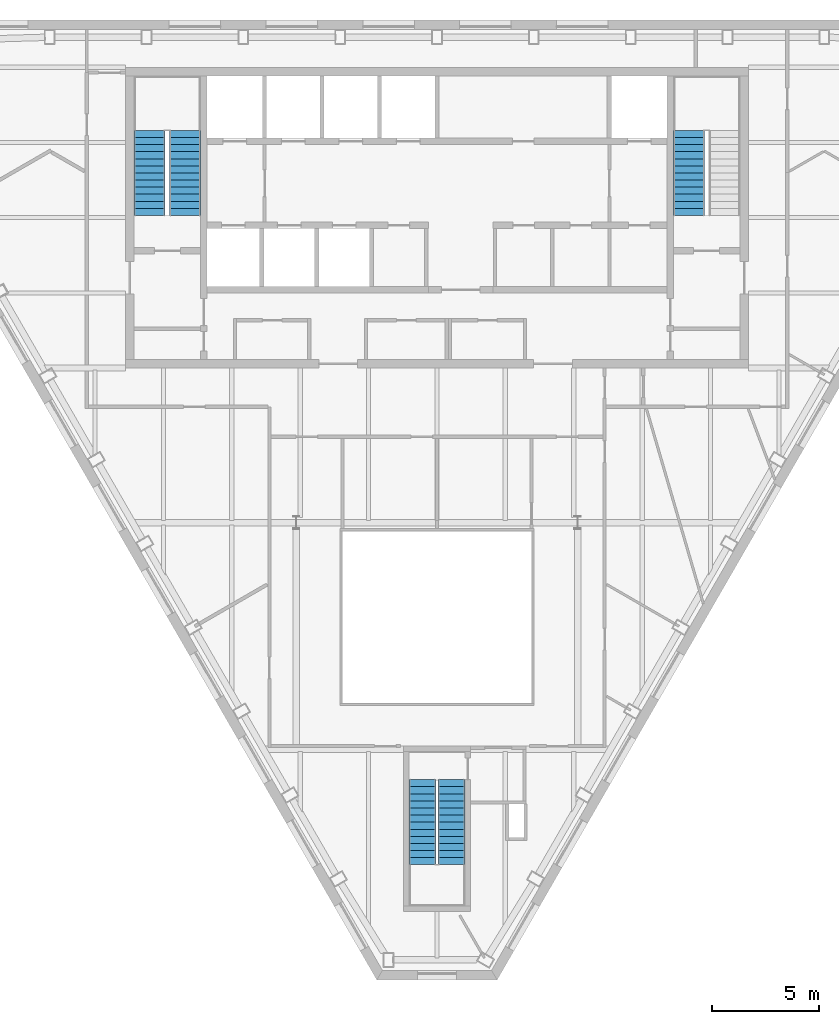
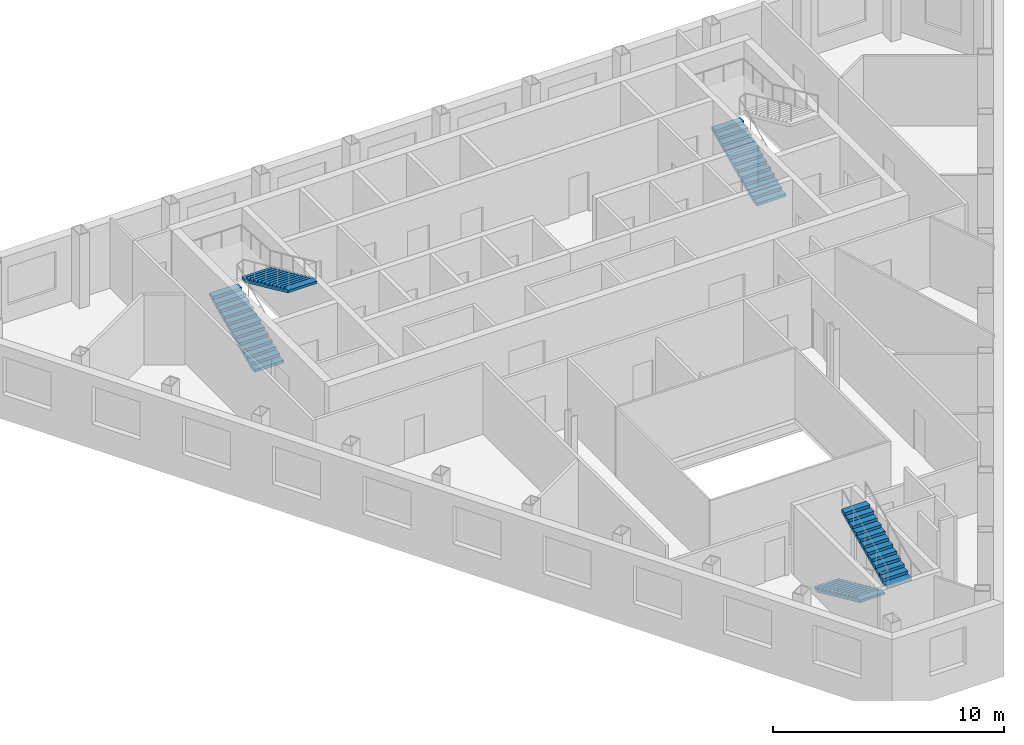
# One storey, part 8 of 10: 5 stair flights, 3 elements without a shape of their own.
"""IFC4 building model written with IfcOpenShell, lengths in metres."""

from ifc_helpers import new_model, si_unit, direction, frame, origin, place, context, subcontext, project, spatial, polygons, material, type_object, element, aggregate, save


model = new_model("IFC4")

# Units and contexts
model_context = context("Model", 3, precision=1e-05, world=origin(), true_north=direction((0.0, 1.0)))
body_context = subcontext(model_context, "Body", "Model", "MODEL_VIEW")
ifc_project = project(units=[si_unit("LENGTHUNIT", "METRE"), si_unit("AREAUNIT", "SQUARE_METRE"), si_unit("VOLUMEUNIT", "CUBIC_METRE"), si_unit("PLANEANGLEUNIT", "RADIAN"), si_unit("MASSUNIT", "GRAM", prefix="KILO")], contexts=[model_context])

# Site, building, storey
site_placement = place(None, origin())
site = spatial("IfcSite", under=ifc_project, at=site_placement, CompositionType="ELEMENT")
building_placement = place(site_placement, origin())
building = spatial("IfcBuilding", under=site, at=building_placement, Name="Njiva Tower", CompositionType="ELEMENT")
storey_placement = place(building_placement, frame((0.0, 0.0, 272.7)))
storey = spatial("IfcBuildingStorey", under=building, at=storey_placement, Name="L62", CompositionType="ELEMENT", Elevation=272.7)

# Stair, stair flights
ifc_material = material(Name="Concrete C40/50", Category="concrete")
stair_type_1 = type_object("IfcStairType", Name="ST1 Exit stair 1250", PredefinedType="HALF_TURN_STAIR", material=ifc_material)
stair_1_placement = place(storey_placement, origin())
stair_1 = element("IfcStair", 1, at=stair_1_placement, inside=storey, type_object=stair_type_1, Name="Stair C", PredefinedType="HALF_TURN_STAIR")
stair_flight_type_1 = type_object("IfcStairFlightType", Name="FL1 Stair flight 1250", PredefinedType="STRAIGHT", material=ifc_material)
stair_flight_1_placement = place(storey_placement, frame((-0.675, -15.16, 0.0), z_axis=(0.0, 0.0, 1.0), x_axis=(0.0, -1.0, 0.0)))
stair_flight_1 = element("IfcStairFlight", 2, at=stair_flight_1_placement, type_object=stair_flight_type_1, Name="ST-C flight 1", NumberOfRisers=13, NumberOfTreads=12, PredefinedType="STRAIGHT", RiserHeight=0.15, TreadLength=0.33, context=body_context, shape_type="Tessellation", body=[
    polygons([(0.0, 0.625, 0.0), (0.0, 0.3125, 0.0), (0.0, 0.0, 0.0), (0.0, -0.3125, 0.0), (0.0, -0.625, 0.0), (0.0, 0.625, 0.15), (0.0, 0.3125, 0.15), (0.0, 0.0, 0.15), (0.0, -0.3125, 0.15), (0.0, -0.625, 0.15), (0.33, 0.625, 0.15), (0.33, 0.3125, 0.15), (0.33, 0.0, 0.15), (0.33, -0.3125, 0.15), (0.33, -0.625, 0.15), (0.33, 0.625, 0.3), (0.33, 0.3125, 0.3), (0.33, 0.0, 0.3), (0.33, -0.3125, 0.3), (0.33, -0.625, 0.3), (0.66, 0.625, 0.3), (0.66, 0.3125, 0.3), (0.66, 0.0, 0.3), (0.66, -0.3125, 0.3), (0.66, -0.625, 0.3), (0.66, 0.625, 0.45), (0.66, 0.3125, 0.45), (0.66, 0.0, 0.45), (0.66, -0.3125, 0.45), (0.66, -0.625, 0.45), (0.99, 0.625, 0.45), (0.99, 0.3125, 0.45), (0.99, 0.0, 0.45), (0.99, -0.3125, 0.45), (0.99, -0.625, 0.45), (0.99, 0.625, 0.6), (0.99, 0.3125, 0.6), (0.99, 0.0, 0.6), (0.99, -0.3125, 0.6), (0.99, -0.625, 0.6), (1.32, 0.625, 0.6), (1.32, 0.3125, 0.6), (1.32, 0.0, 0.6), (1.32, -0.3125, 0.6), (1.32, -0.625, 0.6), (1.32, 0.625, 0.75), (1.32, 0.3125, 0.75), (1.32, 0.0, 0.75), (1.32, -0.3125, 0.75), (1.32, -0.625, 0.75), (1.65, 0.625, 0.75), (1.65, 0.3125, 0.75), (1.65, 0.0, 0.75), (1.65, -0.3125, 0.75), (1.65, -0.625, 0.75), (1.65, 0.625, 0.9), (1.65, 0.3125, 0.9), (1.65, 0.0, 0.9), (1.65, -0.3125, 0.9), (1.65, -0.625, 0.9), (1.98, 0.625, 0.9), (1.98, 0.3125, 0.9), (1.98, 0.0, 0.9), (1.98, -0.3125, 0.9), (1.98, -0.625, 0.9), (1.98, 0.625, 1.05), (1.98, 0.3125, 1.05), (1.98, 0.0, 1.05), (1.98, -0.3125, 1.05), (1.98, -0.625, 1.05), (2.31, 0.625, 1.05), (2.31, 0.3125, 1.05), (2.31, 0.0, 1.05), (2.31, -0.3125, 1.05), (2.31, -0.625, 1.05), (2.31, 0.625, 1.2), (2.31, 0.3125, 1.2), (2.31, 0.0, 1.2), (2.31, -0.3125, 1.2), (2.31, -0.625, 1.2), (2.64, 0.625, 1.2), (2.64, 0.3125, 1.2), (2.64, 0.0, 1.2), (2.64, -0.3125, 1.2), (2.64, -0.625, 1.2), (2.64, 0.625, 1.35), (2.64, 0.3125, 1.35), (2.64, 0.0, 1.35), (2.64, -0.3125, 1.35), (2.64, -0.625, 1.35), (2.97, 0.625, 1.35), (2.97, 0.3125, 1.35), (2.97, 0.0, 1.35), (2.97, -0.3125, 1.35), (2.97, -0.625, 1.35), (2.97, 0.625, 1.5), (2.97, 0.3125, 1.5), (2.97, 0.0, 1.5), (2.97, -0.3125, 1.5), (2.97, -0.625, 1.5), (3.3, 0.625, 1.5), (3.3, 0.3125, 1.5), (3.3, 0.0, 1.5), (3.3, -0.3125, 1.5), (3.3, -0.625, 1.5), (3.3, 0.625, 1.65), (3.3, 0.3125, 1.65), (3.3, 0.0, 1.65), (3.3, -0.3125, 1.65), (3.3, -0.625, 1.65), (3.63, 0.625, 1.65), (3.63, 0.3125, 1.65), (3.63, 0.0, 1.65), (3.63, -0.3125, 1.65), (3.63, -0.625, 1.65), (3.63, 0.625, 1.8), (3.63, 0.3125, 1.8), (3.63, 0.0, 1.8), (3.63, -0.3125, 1.8), (3.63, -0.625, 1.8), (3.96, 0.625, 1.8), (3.96, 0.3125, 1.8), (3.96, 0.0, 1.8), (3.96, -0.3125, 1.8), (3.96, -0.625, 1.8), (3.96, 0.625, 1.6682), (3.96, 0.3125, 1.6682), (3.96, 0.0, 1.6682), (3.96, -0.3125, 1.6682), (3.96, -0.625, 1.6682), (0.29, 0.625, 0.0), (0.29, 0.3125, 0.0), (0.29, 0.0, 0.0), (0.29, -0.3125, 0.0), (0.29, -0.625, 0.0)], [[[1, 6, 11, 16, 21, 26, 31, 36, 41, 46, 51, 56, 61, 66, 71, 76, 81, 86, 91, 96, 101, 106, 111, 116, 121, 126, 131]], [[135, 130, 125, 120, 115, 110, 105, 100, 95, 90, 85, 80, 75, 70, 65, 60, 55, 50, 45, 40, 35, 30, 25, 20, 15, 10, 5]], [[6, 1, 2, 7]], [[7, 2, 3, 8]], [[8, 3, 4, 9]], [[9, 4, 5, 10]], [[11, 6, 7, 12]], [[12, 7, 8, 13]], [[13, 8, 9, 14]], [[14, 9, 10, 15]], [[16, 11, 12, 17]], [[17, 12, 13, 18]], [[18, 13, 14, 19]], [[19, 14, 15, 20]], [[21, 16, 17, 22]], [[22, 17, 18, 23]], [[23, 18, 19, 24]], [[24, 19, 20, 25]], [[26, 21, 22, 27]], [[27, 22, 23, 28]], [[28, 23, 24, 29]], [[29, 24, 25, 30]], [[31, 26, 27, 32]], [[32, 27, 28, 33]], [[33, 28, 29, 34]], [[34, 29, 30, 35]], [[36, 31, 32, 37]], [[37, 32, 33, 38]], [[38, 33, 34, 39]], [[39, 34, 35, 40]], [[41, 36, 37, 42]], [[42, 37, 38, 43]], [[43, 38, 39, 44]], [[44, 39, 40, 45]], [[46, 41, 42, 47]], [[47, 42, 43, 48]], [[48, 43, 44, 49]], [[49, 44, 45, 50]], [[51, 46, 47, 52]], [[52, 47, 48, 53]], [[53, 48, 49, 54]], [[54, 49, 50, 55]], [[56, 51, 52, 57]], [[57, 52, 53, 58]], [[58, 53, 54, 59]], [[59, 54, 55, 60]], [[61, 56, 57, 62]], [[62, 57, 58, 63]], [[63, 58, 59, 64]], [[64, 59, 60, 65]], [[66, 61, 62, 67]], [[67, 62, 63, 68]], [[68, 63, 64, 69]], [[69, 64, 65, 70]], [[71, 66, 67, 72]], [[72, 67, 68, 73]], [[73, 68, 69, 74]], [[74, 69, 70, 75]], [[76, 71, 72, 77]], [[77, 72, 73, 78]], [[78, 73, 74, 79]], [[79, 74, 75, 80]], [[81, 76, 77, 82]], [[82, 77, 78, 83]], [[83, 78, 79, 84]], [[84, 79, 80, 85]], [[86, 81, 82, 87]], [[87, 82, 83, 88]], [[88, 83, 84, 89]], [[89, 84, 85, 90]], [[91, 86, 87, 92]], [[92, 87, 88, 93]], [[93, 88, 89, 94]], [[94, 89, 90, 95]], [[96, 91, 92, 97]], [[97, 92, 93, 98]], [[98, 93, 94, 99]], [[99, 94, 95, 100]], [[101, 96, 97, 102]], [[102, 97, 98, 103]], [[103, 98, 99, 104]], [[104, 99, 100, 105]], [[106, 101, 102, 107]], [[107, 102, 103, 108]], [[108, 103, 104, 109]], [[109, 104, 105, 110]], [[111, 106, 107, 112]], [[112, 107, 108, 113]], [[113, 108, 109, 114]], [[114, 109, 110, 115]], [[116, 111, 112, 117]], [[117, 112, 113, 118]], [[118, 113, 114, 119]], [[119, 114, 115, 120]], [[121, 116, 117, 122]], [[122, 117, 118, 123]], [[123, 118, 119, 124]], [[124, 119, 120, 125]], [[126, 121, 122, 127]], [[127, 122, 123, 128]], [[128, 123, 124, 129]], [[129, 124, 125, 130]], [[131, 126, 127, 132]], [[132, 127, 128, 133]], [[133, 128, 129, 134]], [[134, 129, 130, 135]], [[1, 131, 132, 2]], [[2, 132, 133, 3]], [[3, 133, 134, 4]], [[4, 134, 135, 5]]], closed=True),
])
stair_flight_2_placement = place(storey_placement, frame((0.675, -19.12, 1.95), z_axis=(0.0, 0.0, 1.0), x_axis=(0.0, 1.0, 0.0)))
stair_flight_2 = element("IfcStairFlight", 3, at=stair_flight_2_placement, type_object=stair_flight_type_1, Name="ST-C flight 2", NumberOfRisers=13, NumberOfTreads=12, PredefinedType="STRAIGHT", RiserHeight=0.15, TreadLength=0.33, context=body_context, shape_type="Tessellation", body=[
    polygons([(0.0, 0.625, 0.0), (0.0, 0.3125, 0.0), (0.0, 0.0, 0.0), (0.0, -0.3125, 0.0), (0.0, -0.625, 0.0), (0.0, 0.625, 0.15), (0.0, 0.3125, 0.15), (0.0, 0.0, 0.15), (0.0, -0.3125, 0.15), (0.0, -0.625, 0.15), (0.33, 0.625, 0.15), (0.33, 0.3125, 0.15), (0.33, 0.0, 0.15), (0.33, -0.3125, 0.15), (0.33, -0.625, 0.15), (0.33, 0.625, 0.3), (0.33, 0.3125, 0.3), (0.33, 0.0, 0.3), (0.33, -0.3125, 0.3), (0.33, -0.625, 0.3), (0.66, 0.625, 0.3), (0.66, 0.3125, 0.3), (0.66, 0.0, 0.3), (0.66, -0.3125, 0.3), (0.66, -0.625, 0.3), (0.66, 0.625, 0.45), (0.66, 0.3125, 0.45), (0.66, 0.0, 0.45), (0.66, -0.3125, 0.45), (0.66, -0.625, 0.45), (0.99, 0.625, 0.45), (0.99, 0.3125, 0.45), (0.99, 0.0, 0.45), (0.99, -0.3125, 0.45), (0.99, -0.625, 0.45), (0.99, 0.625, 0.6), (0.99, 0.3125, 0.6), (0.99, 0.0, 0.6), (0.99, -0.3125, 0.6), (0.99, -0.625, 0.6), (1.32, 0.625, 0.6), (1.32, 0.3125, 0.6), (1.32, 0.0, 0.6), (1.32, -0.3125, 0.6), (1.32, -0.625, 0.6), (1.32, 0.625, 0.75), (1.32, 0.3125, 0.75), (1.32, 0.0, 0.75), (1.32, -0.3125, 0.75), (1.32, -0.625, 0.75), (1.65, 0.625, 0.75), (1.65, 0.3125, 0.75), (1.65, 0.0, 0.75), (1.65, -0.3125, 0.75), (1.65, -0.625, 0.75), (1.65, 0.625, 0.9), (1.65, 0.3125, 0.9), (1.65, 0.0, 0.9), (1.65, -0.3125, 0.9), (1.65, -0.625, 0.9), (1.98, 0.625, 0.9), (1.98, 0.3125, 0.9), (1.98, 0.0, 0.9), (1.98, -0.3125, 0.9), (1.98, -0.625, 0.9), (1.98, 0.625, 1.05), (1.98, 0.3125, 1.05), (1.98, 0.0, 1.05), (1.98, -0.3125, 1.05), (1.98, -0.625, 1.05), (2.31, 0.625, 1.05), (2.31, 0.3125, 1.05), (2.31, 0.0, 1.05), (2.31, -0.3125, 1.05), (2.31, -0.625, 1.05), (2.31, 0.625, 1.2), (2.31, 0.3125, 1.2), (2.31, 0.0, 1.2), (2.31, -0.3125, 1.2), (2.31, -0.625, 1.2), (2.64, 0.625, 1.2), (2.64, 0.3125, 1.2), (2.64, 0.0, 1.2), (2.64, -0.3125, 1.2), (2.64, -0.625, 1.2), (2.64, 0.625, 1.35), (2.64, 0.3125, 1.35), (2.64, 0.0, 1.35), (2.64, -0.3125, 1.35), (2.64, -0.625, 1.35), (2.97, 0.625, 1.35), (2.97, 0.3125, 1.35), (2.97, 0.0, 1.35), (2.97, -0.3125, 1.35), (2.97, -0.625, 1.35), (2.97, 0.625, 1.5), (2.97, 0.3125, 1.5), (2.97, 0.0, 1.5), (2.97, -0.3125, 1.5), (2.97, -0.625, 1.5), (3.3, 0.625, 1.5), (3.3, 0.3125, 1.5), (3.3, 0.0, 1.5), (3.3, -0.3125, 1.5), (3.3, -0.625, 1.5), (3.3, 0.625, 1.65), (3.3, 0.3125, 1.65), (3.3, 0.0, 1.65), (3.3, -0.3125, 1.65), (3.3, -0.625, 1.65), (3.63, 0.625, 1.65), (3.63, 0.3125, 1.65), (3.63, 0.0, 1.65), (3.63, -0.3125, 1.65), (3.63, -0.625, 1.65), (3.63, 0.625, 1.8), (3.63, 0.3125, 1.8), (3.63, 0.0, 1.8), (3.63, -0.3125, 1.8), (3.63, -0.625, 1.8), (3.96, 0.625, 1.8), (3.96, 0.3125, 1.8), (3.96, 0.0, 1.8), (3.96, -0.3125, 1.8), (3.96, -0.625, 1.8), (3.96, 0.625, 1.6682), (3.96, 0.3125, 1.6682), (3.96, 0.0, 1.6682), (3.96, -0.3125, 1.6682), (3.96, -0.625, 1.6682), (0.29, 0.625, 0.0), (0.29, 0.3125, 0.0), (0.29, 0.0, 0.0), (0.29, -0.3125, 0.0), (0.29, -0.625, 0.0)], [[[1, 6, 11, 16, 21, 26, 31, 36, 41, 46, 51, 56, 61, 66, 71, 76, 81, 86, 91, 96, 101, 106, 111, 116, 121, 126, 131]], [[135, 130, 125, 120, 115, 110, 105, 100, 95, 90, 85, 80, 75, 70, 65, 60, 55, 50, 45, 40, 35, 30, 25, 20, 15, 10, 5]], [[6, 1, 2, 7]], [[7, 2, 3, 8]], [[8, 3, 4, 9]], [[9, 4, 5, 10]], [[11, 6, 7, 12]], [[12, 7, 8, 13]], [[13, 8, 9, 14]], [[14, 9, 10, 15]], [[16, 11, 12, 17]], [[17, 12, 13, 18]], [[18, 13, 14, 19]], [[19, 14, 15, 20]], [[21, 16, 17, 22]], [[22, 17, 18, 23]], [[23, 18, 19, 24]], [[24, 19, 20, 25]], [[26, 21, 22, 27]], [[27, 22, 23, 28]], [[28, 23, 24, 29]], [[29, 24, 25, 30]], [[31, 26, 27, 32]], [[32, 27, 28, 33]], [[33, 28, 29, 34]], [[34, 29, 30, 35]], [[36, 31, 32, 37]], [[37, 32, 33, 38]], [[38, 33, 34, 39]], [[39, 34, 35, 40]], [[41, 36, 37, 42]], [[42, 37, 38, 43]], [[43, 38, 39, 44]], [[44, 39, 40, 45]], [[46, 41, 42, 47]], [[47, 42, 43, 48]], [[48, 43, 44, 49]], [[49, 44, 45, 50]], [[51, 46, 47, 52]], [[52, 47, 48, 53]], [[53, 48, 49, 54]], [[54, 49, 50, 55]], [[56, 51, 52, 57]], [[57, 52, 53, 58]], [[58, 53, 54, 59]], [[59, 54, 55, 60]], [[61, 56, 57, 62]], [[62, 57, 58, 63]], [[63, 58, 59, 64]], [[64, 59, 60, 65]], [[66, 61, 62, 67]], [[67, 62, 63, 68]], [[68, 63, 64, 69]], [[69, 64, 65, 70]], [[71, 66, 67, 72]], [[72, 67, 68, 73]], [[73, 68, 69, 74]], [[74, 69, 70, 75]], [[76, 71, 72, 77]], [[77, 72, 73, 78]], [[78, 73, 74, 79]], [[79, 74, 75, 80]], [[81, 76, 77, 82]], [[82, 77, 78, 83]], [[83, 78, 79, 84]], [[84, 79, 80, 85]], [[86, 81, 82, 87]], [[87, 82, 83, 88]], [[88, 83, 84, 89]], [[89, 84, 85, 90]], [[91, 86, 87, 92]], [[92, 87, 88, 93]], [[93, 88, 89, 94]], [[94, 89, 90, 95]], [[96, 91, 92, 97]], [[97, 92, 93, 98]], [[98, 93, 94, 99]], [[99, 94, 95, 100]], [[101, 96, 97, 102]], [[102, 97, 98, 103]], [[103, 98, 99, 104]], [[104, 99, 100, 105]], [[106, 101, 102, 107]], [[107, 102, 103, 108]], [[108, 103, 104, 109]], [[109, 104, 105, 110]], [[111, 106, 107, 112]], [[112, 107, 108, 113]], [[113, 108, 109, 114]], [[114, 109, 110, 115]], [[116, 111, 112, 117]], [[117, 112, 113, 118]], [[118, 113, 114, 119]], [[119, 114, 115, 120]], [[121, 116, 117, 122]], [[122, 117, 118, 123]], [[123, 118, 119, 124]], [[124, 119, 120, 125]], [[126, 121, 122, 127]], [[127, 122, 123, 128]], [[128, 123, 124, 129]], [[129, 124, 125, 130]], [[131, 126, 127, 132]], [[132, 127, 128, 133]], [[133, 128, 129, 134]], [[134, 129, 130, 135]], [[1, 131, 132, 2]], [[2, 132, 133, 3]], [[3, 133, 134, 4]], [[4, 134, 135, 5]]], closed=True),
])
aggregate(stair_1, [stair_flight_1, stair_flight_2])

stair_type_2 = type_object("IfcStairType", Name="ST3 Exit stair 1450", PredefinedType="HALF_TURN_STAIR", material=ifc_material)
stair_2_placement = place(storey_placement, origin())
stair_2 = element("IfcStair", 4, at=stair_2_placement, inside=storey, type_object=stair_type_2, Name="Stair A", PredefinedType="HALF_TURN_STAIR")
stair_flight_type_2 = type_object("IfcStairFlightType", Name="FL3 Stair flight 1450", PredefinedType="STRAIGHT", material=ifc_material)
stair_flight_3_placement = place(storey_placement, frame((-13.375, 11.1, 0.0), z_axis=(0.0, 0.0, 1.0), x_axis=(0.0, 1.0, 0.0)))
stair_flight_3 = element("IfcStairFlight", 5, at=stair_flight_3_placement, type_object=stair_flight_type_2, Name="ST-A flight 1", NumberOfRisers=13, NumberOfTreads=12, PredefinedType="STRAIGHT", RiserHeight=0.15, TreadLength=0.33, context=body_context, shape_type="Tessellation", body=[
    polygons([(0.0, 0.725, 0.0), (0.0, 0.3625, 0.0), (0.0, 0.0, 0.0), (0.0, -0.3625, 0.0), (0.0, -0.725, 0.0), (0.0, 0.725, 0.15), (0.0, 0.3625, 0.15), (0.0, 0.0, 0.15), (0.0, -0.3625, 0.15), (0.0, -0.725, 0.15), (0.33, 0.725, 0.15), (0.33, 0.3625, 0.15), (0.33, 0.0, 0.15), (0.33, -0.3625, 0.15), (0.33, -0.725, 0.15), (0.33, 0.725, 0.3), (0.33, 0.3625, 0.3), (0.33, 0.0, 0.3), (0.33, -0.3625, 0.3), (0.33, -0.725, 0.3), (0.66, 0.725, 0.3), (0.66, 0.3625, 0.3), (0.66, 0.0, 0.3), (0.66, -0.3625, 0.3), (0.66, -0.725, 0.3), (0.66, 0.725, 0.45), (0.66, 0.3625, 0.45), (0.66, 0.0, 0.45), (0.66, -0.3625, 0.45), (0.66, -0.725, 0.45), (0.99, 0.725, 0.45), (0.99, 0.3625, 0.45), (0.99, 0.0, 0.45), (0.99, -0.3625, 0.45), (0.99, -0.725, 0.45), (0.99, 0.725, 0.6), (0.99, 0.3625, 0.6), (0.99, 0.0, 0.6), (0.99, -0.3625, 0.6), (0.99, -0.725, 0.6), (1.32, 0.725, 0.6), (1.32, 0.3625, 0.6), (1.32, 0.0, 0.6), (1.32, -0.3625, 0.6), (1.32, -0.725, 0.6), (1.32, 0.725, 0.75), (1.32, 0.3625, 0.75), (1.32, 0.0, 0.75), (1.32, -0.3625, 0.75), (1.32, -0.725, 0.75), (1.65, 0.725, 0.75), (1.65, 0.3625, 0.75), (1.65, 0.0, 0.75), (1.65, -0.3625, 0.75), (1.65, -0.725, 0.75), (1.65, 0.725, 0.9), (1.65, 0.3625, 0.9), (1.65, 0.0, 0.9), (1.65, -0.3625, 0.9), (1.65, -0.725, 0.9), (1.98, 0.725, 0.9), (1.98, 0.3625, 0.9), (1.98, 0.0, 0.9), (1.98, -0.3625, 0.9), (1.98, -0.725, 0.9), (1.98, 0.725, 1.05), (1.98, 0.3625, 1.05), (1.98, 0.0, 1.05), (1.98, -0.3625, 1.05), (1.98, -0.725, 1.05), (2.31, 0.725, 1.05), (2.31, 0.3625, 1.05), (2.31, 0.0, 1.05), (2.31, -0.3625, 1.05), (2.31, -0.725, 1.05), (2.31, 0.725, 1.2), (2.31, 0.3625, 1.2), (2.31, 0.0, 1.2), (2.31, -0.3625, 1.2), (2.31, -0.725, 1.2), (2.64, 0.725, 1.2), (2.64, 0.3625, 1.2), (2.64, 0.0, 1.2), (2.64, -0.3625, 1.2), (2.64, -0.725, 1.2), (2.64, 0.725, 1.35), (2.64, 0.3625, 1.35), (2.64, 0.0, 1.35), (2.64, -0.3625, 1.35), (2.64, -0.725, 1.35), (2.97, 0.725, 1.35), (2.97, 0.3625, 1.35), (2.97, 0.0, 1.35), (2.97, -0.3625, 1.35), (2.97, -0.725, 1.35), (2.97, 0.725, 1.5), (2.97, 0.3625, 1.5), (2.97, 0.0, 1.5), (2.97, -0.3625, 1.5), (2.97, -0.725, 1.5), (3.3, 0.725, 1.5), (3.3, 0.3625, 1.5), (3.3, 0.0, 1.5), (3.3, -0.3625, 1.5), (3.3, -0.725, 1.5), (3.3, 0.725, 1.65), (3.3, 0.3625, 1.65), (3.3, 0.0, 1.65), (3.3, -0.3625, 1.65), (3.3, -0.725, 1.65), (3.63, 0.725, 1.65), (3.63, 0.3625, 1.65), (3.63, 0.0, 1.65), (3.63, -0.3625, 1.65), (3.63, -0.725, 1.65), (3.63, 0.725, 1.8), (3.63, 0.3625, 1.8), (3.63, 0.0, 1.8), (3.63, -0.3625, 1.8), (3.63, -0.725, 1.8), (3.96, 0.725, 1.8), (3.96, 0.3625, 1.8), (3.96, 0.0, 1.8), (3.96, -0.3625, 1.8), (3.96, -0.725, 1.8), (3.96, 0.725, 1.6682), (3.96, 0.3625, 1.6682), (3.96, 0.0, 1.6682), (3.96, -0.3625, 1.6682), (3.96, -0.725, 1.6682), (0.29, 0.725, 0.0), (0.29, 0.3625, 0.0), (0.29, 0.0, 0.0), (0.29, -0.3625, 0.0), (0.29, -0.725, 0.0)], [[[1, 6, 11, 16, 21, 26, 31, 36, 41, 46, 51, 56, 61, 66, 71, 76, 81, 86, 91, 96, 101, 106, 111, 116, 121, 126, 131]], [[135, 130, 125, 120, 115, 110, 105, 100, 95, 90, 85, 80, 75, 70, 65, 60, 55, 50, 45, 40, 35, 30, 25, 20, 15, 10, 5]], [[6, 1, 2, 7]], [[7, 2, 3, 8]], [[8, 3, 4, 9]], [[9, 4, 5, 10]], [[11, 6, 7, 12]], [[12, 7, 8, 13]], [[13, 8, 9, 14]], [[14, 9, 10, 15]], [[16, 11, 12, 17]], [[17, 12, 13, 18]], [[18, 13, 14, 19]], [[19, 14, 15, 20]], [[21, 16, 17, 22]], [[22, 17, 18, 23]], [[23, 18, 19, 24]], [[24, 19, 20, 25]], [[26, 21, 22, 27]], [[27, 22, 23, 28]], [[28, 23, 24, 29]], [[29, 24, 25, 30]], [[31, 26, 27, 32]], [[32, 27, 28, 33]], [[33, 28, 29, 34]], [[34, 29, 30, 35]], [[36, 31, 32, 37]], [[37, 32, 33, 38]], [[38, 33, 34, 39]], [[39, 34, 35, 40]], [[41, 36, 37, 42]], [[42, 37, 38, 43]], [[43, 38, 39, 44]], [[44, 39, 40, 45]], [[46, 41, 42, 47]], [[47, 42, 43, 48]], [[48, 43, 44, 49]], [[49, 44, 45, 50]], [[51, 46, 47, 52]], [[52, 47, 48, 53]], [[53, 48, 49, 54]], [[54, 49, 50, 55]], [[56, 51, 52, 57]], [[57, 52, 53, 58]], [[58, 53, 54, 59]], [[59, 54, 55, 60]], [[61, 56, 57, 62]], [[62, 57, 58, 63]], [[63, 58, 59, 64]], [[64, 59, 60, 65]], [[66, 61, 62, 67]], [[67, 62, 63, 68]], [[68, 63, 64, 69]], [[69, 64, 65, 70]], [[71, 66, 67, 72]], [[72, 67, 68, 73]], [[73, 68, 69, 74]], [[74, 69, 70, 75]], [[76, 71, 72, 77]], [[77, 72, 73, 78]], [[78, 73, 74, 79]], [[79, 74, 75, 80]], [[81, 76, 77, 82]], [[82, 77, 78, 83]], [[83, 78, 79, 84]], [[84, 79, 80, 85]], [[86, 81, 82, 87]], [[87, 82, 83, 88]], [[88, 83, 84, 89]], [[89, 84, 85, 90]], [[91, 86, 87, 92]], [[92, 87, 88, 93]], [[93, 88, 89, 94]], [[94, 89, 90, 95]], [[96, 91, 92, 97]], [[97, 92, 93, 98]], [[98, 93, 94, 99]], [[99, 94, 95, 100]], [[101, 96, 97, 102]], [[102, 97, 98, 103]], [[103, 98, 99, 104]], [[104, 99, 100, 105]], [[106, 101, 102, 107]], [[107, 102, 103, 108]], [[108, 103, 104, 109]], [[109, 104, 105, 110]], [[111, 106, 107, 112]], [[112, 107, 108, 113]], [[113, 108, 109, 114]], [[114, 109, 110, 115]], [[116, 111, 112, 117]], [[117, 112, 113, 118]], [[118, 113, 114, 119]], [[119, 114, 115, 120]], [[121, 116, 117, 122]], [[122, 117, 118, 123]], [[123, 118, 119, 124]], [[124, 119, 120, 125]], [[126, 121, 122, 127]], [[127, 122, 123, 128]], [[128, 123, 124, 129]], [[129, 124, 125, 130]], [[131, 126, 127, 132]], [[132, 127, 128, 133]], [[133, 128, 129, 134]], [[134, 129, 130, 135]], [[1, 131, 132, 2]], [[2, 132, 133, 3]], [[3, 133, 134, 4]], [[4, 134, 135, 5]]], closed=True),
])
stair_flight_4_placement = place(storey_placement, frame((-11.725, 15.06, 1.95), z_axis=(0.0, 0.0, 1.0), x_axis=(0.0, -1.0, 0.0)))
stair_flight_4 = element("IfcStairFlight", 6, at=stair_flight_4_placement, type_object=stair_flight_type_2, Name="ST-A flight 2", NumberOfRisers=13, NumberOfTreads=12, PredefinedType="STRAIGHT", RiserHeight=0.15, TreadLength=0.33, context=body_context, shape_type="Tessellation", body=[
    polygons([(0.0, 0.725, 0.0), (0.0, 0.3625, 0.0), (0.0, 0.0, 0.0), (0.0, -0.3625, 0.0), (0.0, -0.725, 0.0), (0.0, 0.725, 0.15), (0.0, 0.3625, 0.15), (0.0, 0.0, 0.15), (0.0, -0.3625, 0.15), (0.0, -0.725, 0.15), (0.33, 0.725, 0.15), (0.33, 0.3625, 0.15), (0.33, 0.0, 0.15), (0.33, -0.3625, 0.15), (0.33, -0.725, 0.15), (0.33, 0.725, 0.3), (0.33, 0.3625, 0.3), (0.33, 0.0, 0.3), (0.33, -0.3625, 0.3), (0.33, -0.725, 0.3), (0.66, 0.725, 0.3), (0.66, 0.3625, 0.3), (0.66, 0.0, 0.3), (0.66, -0.3625, 0.3), (0.66, -0.725, 0.3), (0.66, 0.725, 0.45), (0.66, 0.3625, 0.45), (0.66, 0.0, 0.45), (0.66, -0.3625, 0.45), (0.66, -0.725, 0.45), (0.99, 0.725, 0.45), (0.99, 0.3625, 0.45), (0.99, 0.0, 0.45), (0.99, -0.3625, 0.45), (0.99, -0.725, 0.45), (0.99, 0.725, 0.6), (0.99, 0.3625, 0.6), (0.99, 0.0, 0.6), (0.99, -0.3625, 0.6), (0.99, -0.725, 0.6), (1.32, 0.725, 0.6), (1.32, 0.3625, 0.6), (1.32, 0.0, 0.6), (1.32, -0.3625, 0.6), (1.32, -0.725, 0.6), (1.32, 0.725, 0.75), (1.32, 0.3625, 0.75), (1.32, 0.0, 0.75), (1.32, -0.3625, 0.75), (1.32, -0.725, 0.75), (1.65, 0.725, 0.75), (1.65, 0.3625, 0.75), (1.65, 0.0, 0.75), (1.65, -0.3625, 0.75), (1.65, -0.725, 0.75), (1.65, 0.725, 0.9), (1.65, 0.3625, 0.9), (1.65, 0.0, 0.9), (1.65, -0.3625, 0.9), (1.65, -0.725, 0.9), (1.98, 0.725, 0.9), (1.98, 0.3625, 0.9), (1.98, 0.0, 0.9), (1.98, -0.3625, 0.9), (1.98, -0.725, 0.9), (1.98, 0.725, 1.05), (1.98, 0.3625, 1.05), (1.98, 0.0, 1.05), (1.98, -0.3625, 1.05), (1.98, -0.725, 1.05), (2.31, 0.725, 1.05), (2.31, 0.3625, 1.05), (2.31, 0.0, 1.05), (2.31, -0.3625, 1.05), (2.31, -0.725, 1.05), (2.31, 0.725, 1.2), (2.31, 0.3625, 1.2), (2.31, 0.0, 1.2), (2.31, -0.3625, 1.2), (2.31, -0.725, 1.2), (2.64, 0.725, 1.2), (2.64, 0.3625, 1.2), (2.64, 0.0, 1.2), (2.64, -0.3625, 1.2), (2.64, -0.725, 1.2), (2.64, 0.725, 1.35), (2.64, 0.3625, 1.35), (2.64, 0.0, 1.35), (2.64, -0.3625, 1.35), (2.64, -0.725, 1.35), (2.97, 0.725, 1.35), (2.97, 0.3625, 1.35), (2.97, 0.0, 1.35), (2.97, -0.3625, 1.35), (2.97, -0.725, 1.35), (2.97, 0.725, 1.5), (2.97, 0.3625, 1.5), (2.97, 0.0, 1.5), (2.97, -0.3625, 1.5), (2.97, -0.725, 1.5), (3.3, 0.725, 1.5), (3.3, 0.3625, 1.5), (3.3, 0.0, 1.5), (3.3, -0.3625, 1.5), (3.3, -0.725, 1.5), (3.3, 0.725, 1.65), (3.3, 0.3625, 1.65), (3.3, 0.0, 1.65), (3.3, -0.3625, 1.65), (3.3, -0.725, 1.65), (3.63, 0.725, 1.65), (3.63, 0.3625, 1.65), (3.63, 0.0, 1.65), (3.63, -0.3625, 1.65), (3.63, -0.725, 1.65), (3.63, 0.725, 1.8), (3.63, 0.3625, 1.8), (3.63, 0.0, 1.8), (3.63, -0.3625, 1.8), (3.63, -0.725, 1.8), (3.96, 0.725, 1.8), (3.96, 0.3625, 1.8), (3.96, 0.0, 1.8), (3.96, -0.3625, 1.8), (3.96, -0.725, 1.8), (3.96, 0.725, 1.6682), (3.96, 0.3625, 1.6682), (3.96, 0.0, 1.6682), (3.96, -0.3625, 1.6682), (3.96, -0.725, 1.6682), (0.29, 0.725, 0.0), (0.29, 0.3625, 0.0), (0.29, 0.0, 0.0), (0.29, -0.3625, 0.0), (0.29, -0.725, 0.0)], [[[1, 6, 11, 16, 21, 26, 31, 36, 41, 46, 51, 56, 61, 66, 71, 76, 81, 86, 91, 96, 101, 106, 111, 116, 121, 126, 131]], [[135, 130, 125, 120, 115, 110, 105, 100, 95, 90, 85, 80, 75, 70, 65, 60, 55, 50, 45, 40, 35, 30, 25, 20, 15, 10, 5]], [[6, 1, 2, 7]], [[7, 2, 3, 8]], [[8, 3, 4, 9]], [[9, 4, 5, 10]], [[11, 6, 7, 12]], [[12, 7, 8, 13]], [[13, 8, 9, 14]], [[14, 9, 10, 15]], [[16, 11, 12, 17]], [[17, 12, 13, 18]], [[18, 13, 14, 19]], [[19, 14, 15, 20]], [[21, 16, 17, 22]], [[22, 17, 18, 23]], [[23, 18, 19, 24]], [[24, 19, 20, 25]], [[26, 21, 22, 27]], [[27, 22, 23, 28]], [[28, 23, 24, 29]], [[29, 24, 25, 30]], [[31, 26, 27, 32]], [[32, 27, 28, 33]], [[33, 28, 29, 34]], [[34, 29, 30, 35]], [[36, 31, 32, 37]], [[37, 32, 33, 38]], [[38, 33, 34, 39]], [[39, 34, 35, 40]], [[41, 36, 37, 42]], [[42, 37, 38, 43]], [[43, 38, 39, 44]], [[44, 39, 40, 45]], [[46, 41, 42, 47]], [[47, 42, 43, 48]], [[48, 43, 44, 49]], [[49, 44, 45, 50]], [[51, 46, 47, 52]], [[52, 47, 48, 53]], [[53, 48, 49, 54]], [[54, 49, 50, 55]], [[56, 51, 52, 57]], [[57, 52, 53, 58]], [[58, 53, 54, 59]], [[59, 54, 55, 60]], [[61, 56, 57, 62]], [[62, 57, 58, 63]], [[63, 58, 59, 64]], [[64, 59, 60, 65]], [[66, 61, 62, 67]], [[67, 62, 63, 68]], [[68, 63, 64, 69]], [[69, 64, 65, 70]], [[71, 66, 67, 72]], [[72, 67, 68, 73]], [[73, 68, 69, 74]], [[74, 69, 70, 75]], [[76, 71, 72, 77]], [[77, 72, 73, 78]], [[78, 73, 74, 79]], [[79, 74, 75, 80]], [[81, 76, 77, 82]], [[82, 77, 78, 83]], [[83, 78, 79, 84]], [[84, 79, 80, 85]], [[86, 81, 82, 87]], [[87, 82, 83, 88]], [[88, 83, 84, 89]], [[89, 84, 85, 90]], [[91, 86, 87, 92]], [[92, 87, 88, 93]], [[93, 88, 89, 94]], [[94, 89, 90, 95]], [[96, 91, 92, 97]], [[97, 92, 93, 98]], [[98, 93, 94, 99]], [[99, 94, 95, 100]], [[101, 96, 97, 102]], [[102, 97, 98, 103]], [[103, 98, 99, 104]], [[104, 99, 100, 105]], [[106, 101, 102, 107]], [[107, 102, 103, 108]], [[108, 103, 104, 109]], [[109, 104, 105, 110]], [[111, 106, 107, 112]], [[112, 107, 108, 113]], [[113, 108, 109, 114]], [[114, 109, 110, 115]], [[116, 111, 112, 117]], [[117, 112, 113, 118]], [[118, 113, 114, 119]], [[119, 114, 115, 120]], [[121, 116, 117, 122]], [[122, 117, 118, 123]], [[123, 118, 119, 124]], [[124, 119, 120, 125]], [[126, 121, 122, 127]], [[127, 122, 123, 128]], [[128, 123, 124, 129]], [[129, 124, 125, 130]], [[131, 126, 127, 132]], [[132, 127, 128, 133]], [[133, 128, 129, 134]], [[134, 129, 130, 135]], [[1, 131, 132, 2]], [[2, 132, 133, 3]], [[3, 133, 134, 4]], [[4, 134, 135, 5]]], closed=True),
])
aggregate(stair_2, [stair_flight_3, stair_flight_4])

# Stair, stair flight
stair_3_placement = place(storey_placement, origin())
stair_3 = element("IfcStair", 7, at=stair_3_placement, inside=storey, type_object=stair_type_2, Name="Stair B", PredefinedType="HALF_TURN_STAIR")
stair_flight_5_placement = place(storey_placement, frame((11.725, 11.1, 0.0), z_axis=(0.0, 0.0, 1.0), x_axis=(0.0, 1.0, 0.0)))
stair_flight_5 = element("IfcStairFlight", 8, at=stair_flight_5_placement, type_object=stair_flight_type_2, Name="ST-B flight 1", NumberOfRisers=13, NumberOfTreads=12, PredefinedType="STRAIGHT", RiserHeight=0.15, TreadLength=0.33, context=body_context, shape_type="Tessellation", body=[
    polygons([(0.0, 0.725, 0.0), (0.0, 0.3625, 0.0), (0.0, 0.0, 0.0), (0.0, -0.3625, 0.0), (0.0, -0.725, 0.0), (0.0, 0.725, 0.15), (0.0, 0.3625, 0.15), (0.0, 0.0, 0.15), (0.0, -0.3625, 0.15), (0.0, -0.725, 0.15), (0.33, 0.725, 0.15), (0.33, 0.3625, 0.15), (0.33, 0.0, 0.15), (0.33, -0.3625, 0.15), (0.33, -0.725, 0.15), (0.33, 0.725, 0.3), (0.33, 0.3625, 0.3), (0.33, 0.0, 0.3), (0.33, -0.3625, 0.3), (0.33, -0.725, 0.3), (0.66, 0.725, 0.3), (0.66, 0.3625, 0.3), (0.66, 0.0, 0.3), (0.66, -0.3625, 0.3), (0.66, -0.725, 0.3), (0.66, 0.725, 0.45), (0.66, 0.3625, 0.45), (0.66, 0.0, 0.45), (0.66, -0.3625, 0.45), (0.66, -0.725, 0.45), (0.99, 0.725, 0.45), (0.99, 0.3625, 0.45), (0.99, 0.0, 0.45), (0.99, -0.3625, 0.45), (0.99, -0.725, 0.45), (0.99, 0.725, 0.6), (0.99, 0.3625, 0.6), (0.99, 0.0, 0.6), (0.99, -0.3625, 0.6), (0.99, -0.725, 0.6), (1.32, 0.725, 0.6), (1.32, 0.3625, 0.6), (1.32, 0.0, 0.6), (1.32, -0.3625, 0.6), (1.32, -0.725, 0.6), (1.32, 0.725, 0.75), (1.32, 0.3625, 0.75), (1.32, 0.0, 0.75), (1.32, -0.3625, 0.75), (1.32, -0.725, 0.75), (1.65, 0.725, 0.75), (1.65, 0.3625, 0.75), (1.65, 0.0, 0.75), (1.65, -0.3625, 0.75), (1.65, -0.725, 0.75), (1.65, 0.725, 0.9), (1.65, 0.3625, 0.9), (1.65, 0.0, 0.9), (1.65, -0.3625, 0.9), (1.65, -0.725, 0.9), (1.98, 0.725, 0.9), (1.98, 0.3625, 0.9), (1.98, 0.0, 0.9), (1.98, -0.3625, 0.9), (1.98, -0.725, 0.9), (1.98, 0.725, 1.05), (1.98, 0.3625, 1.05), (1.98, 0.0, 1.05), (1.98, -0.3625, 1.05), (1.98, -0.725, 1.05), (2.31, 0.725, 1.05), (2.31, 0.3625, 1.05), (2.31, 0.0, 1.05), (2.31, -0.3625, 1.05), (2.31, -0.725, 1.05), (2.31, 0.725, 1.2), (2.31, 0.3625, 1.2), (2.31, 0.0, 1.2), (2.31, -0.3625, 1.2), (2.31, -0.725, 1.2), (2.64, 0.725, 1.2), (2.64, 0.3625, 1.2), (2.64, 0.0, 1.2), (2.64, -0.3625, 1.2), (2.64, -0.725, 1.2), (2.64, 0.725, 1.35), (2.64, 0.3625, 1.35), (2.64, 0.0, 1.35), (2.64, -0.3625, 1.35), (2.64, -0.725, 1.35), (2.97, 0.725, 1.35), (2.97, 0.3625, 1.35), (2.97, 0.0, 1.35), (2.97, -0.3625, 1.35), (2.97, -0.725, 1.35), (2.97, 0.725, 1.5), (2.97, 0.3625, 1.5), (2.97, 0.0, 1.5), (2.97, -0.3625, 1.5), (2.97, -0.725, 1.5), (3.3, 0.725, 1.5), (3.3, 0.3625, 1.5), (3.3, 0.0, 1.5), (3.3, -0.3625, 1.5), (3.3, -0.725, 1.5), (3.3, 0.725, 1.65), (3.3, 0.3625, 1.65), (3.3, 0.0, 1.65), (3.3, -0.3625, 1.65), (3.3, -0.725, 1.65), (3.63, 0.725, 1.65), (3.63, 0.3625, 1.65), (3.63, 0.0, 1.65), (3.63, -0.3625, 1.65), (3.63, -0.725, 1.65), (3.63, 0.725, 1.8), (3.63, 0.3625, 1.8), (3.63, 0.0, 1.8), (3.63, -0.3625, 1.8), (3.63, -0.725, 1.8), (3.96, 0.725, 1.8), (3.96, 0.3625, 1.8), (3.96, 0.0, 1.8), (3.96, -0.3625, 1.8), (3.96, -0.725, 1.8), (3.96, 0.725, 1.6682), (3.96, 0.3625, 1.6682), (3.96, 0.0, 1.6682), (3.96, -0.3625, 1.6682), (3.96, -0.725, 1.6682), (0.29, 0.725, 0.0), (0.29, 0.3625, 0.0), (0.29, 0.0, 0.0), (0.29, -0.3625, 0.0), (0.29, -0.725, 0.0)], [[[1, 6, 11, 16, 21, 26, 31, 36, 41, 46, 51, 56, 61, 66, 71, 76, 81, 86, 91, 96, 101, 106, 111, 116, 121, 126, 131]], [[135, 130, 125, 120, 115, 110, 105, 100, 95, 90, 85, 80, 75, 70, 65, 60, 55, 50, 45, 40, 35, 30, 25, 20, 15, 10, 5]], [[6, 1, 2, 7]], [[7, 2, 3, 8]], [[8, 3, 4, 9]], [[9, 4, 5, 10]], [[11, 6, 7, 12]], [[12, 7, 8, 13]], [[13, 8, 9, 14]], [[14, 9, 10, 15]], [[16, 11, 12, 17]], [[17, 12, 13, 18]], [[18, 13, 14, 19]], [[19, 14, 15, 20]], [[21, 16, 17, 22]], [[22, 17, 18, 23]], [[23, 18, 19, 24]], [[24, 19, 20, 25]], [[26, 21, 22, 27]], [[27, 22, 23, 28]], [[28, 23, 24, 29]], [[29, 24, 25, 30]], [[31, 26, 27, 32]], [[32, 27, 28, 33]], [[33, 28, 29, 34]], [[34, 29, 30, 35]], [[36, 31, 32, 37]], [[37, 32, 33, 38]], [[38, 33, 34, 39]], [[39, 34, 35, 40]], [[41, 36, 37, 42]], [[42, 37, 38, 43]], [[43, 38, 39, 44]], [[44, 39, 40, 45]], [[46, 41, 42, 47]], [[47, 42, 43, 48]], [[48, 43, 44, 49]], [[49, 44, 45, 50]], [[51, 46, 47, 52]], [[52, 47, 48, 53]], [[53, 48, 49, 54]], [[54, 49, 50, 55]], [[56, 51, 52, 57]], [[57, 52, 53, 58]], [[58, 53, 54, 59]], [[59, 54, 55, 60]], [[61, 56, 57, 62]], [[62, 57, 58, 63]], [[63, 58, 59, 64]], [[64, 59, 60, 65]], [[66, 61, 62, 67]], [[67, 62, 63, 68]], [[68, 63, 64, 69]], [[69, 64, 65, 70]], [[71, 66, 67, 72]], [[72, 67, 68, 73]], [[73, 68, 69, 74]], [[74, 69, 70, 75]], [[76, 71, 72, 77]], [[77, 72, 73, 78]], [[78, 73, 74, 79]], [[79, 74, 75, 80]], [[81, 76, 77, 82]], [[82, 77, 78, 83]], [[83, 78, 79, 84]], [[84, 79, 80, 85]], [[86, 81, 82, 87]], [[87, 82, 83, 88]], [[88, 83, 84, 89]], [[89, 84, 85, 90]], [[91, 86, 87, 92]], [[92, 87, 88, 93]], [[93, 88, 89, 94]], [[94, 89, 90, 95]], [[96, 91, 92, 97]], [[97, 92, 93, 98]], [[98, 93, 94, 99]], [[99, 94, 95, 100]], [[101, 96, 97, 102]], [[102, 97, 98, 103]], [[103, 98, 99, 104]], [[104, 99, 100, 105]], [[106, 101, 102, 107]], [[107, 102, 103, 108]], [[108, 103, 104, 109]], [[109, 104, 105, 110]], [[111, 106, 107, 112]], [[112, 107, 108, 113]], [[113, 108, 109, 114]], [[114, 109, 110, 115]], [[116, 111, 112, 117]], [[117, 112, 113, 118]], [[118, 113, 114, 119]], [[119, 114, 115, 120]], [[121, 116, 117, 122]], [[122, 117, 118, 123]], [[123, 118, 119, 124]], [[124, 119, 120, 125]], [[126, 121, 122, 127]], [[127, 122, 123, 128]], [[128, 123, 124, 129]], [[129, 124, 125, 130]], [[131, 126, 127, 132]], [[132, 127, 128, 133]], [[133, 128, 129, 134]], [[134, 129, 130, 135]], [[1, 131, 132, 2]], [[2, 132, 133, 3]], [[3, 133, 134, 4]], [[4, 134, 135, 5]]], closed=True),
])
aggregate(stair_3, [stair_flight_5])

save(model, "model.ifc")
